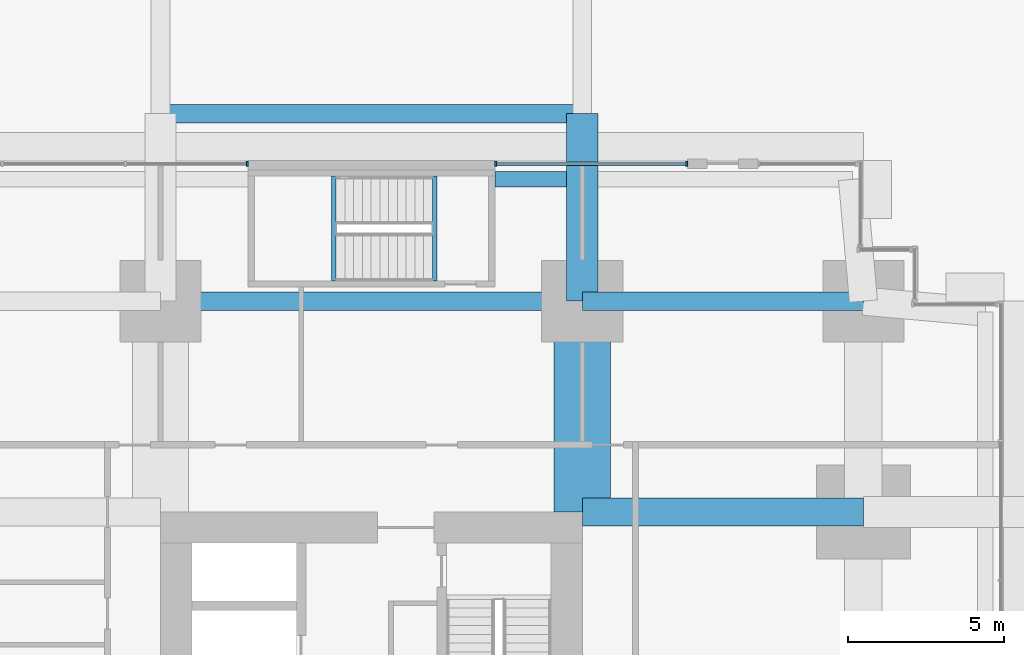
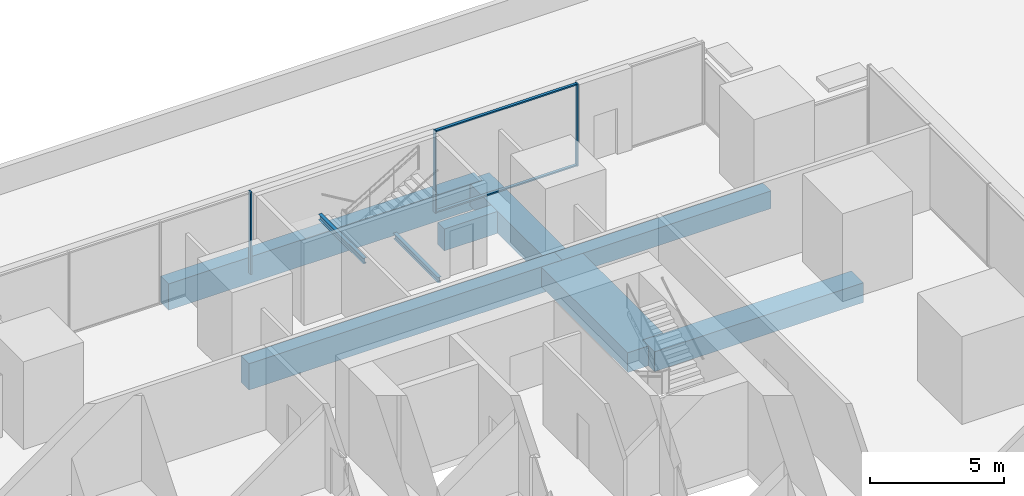
# One storey, part 9 of 34: 9 beams, 5 members, 2 elements without a shape of their own.
"""IFC4 building model written with IfcOpenShell, lengths in metres."""

import ifcopenshell
import ifcopenshell.guid

model = None  # the IFC model being written
_history = None  # IfcOwnerHistory: only IFC2X3 demands one
_inside = {}  # id of a spatial element -> (the spatial element, [elements in it])
_under = {}  # id of a project, library or spatial element -> (it, [spatial elements below it])
_declared = {}  # id of a project -> (the project, [libraries it declares])
_typed = {}  # id of a type object -> (the type object, [elements of that type])
_made_of = {}  # id of a material, layer set ... -> (it, [elements and type objects made of it])


def new_model(schema):
    """Start an empty IFC model of exactly this schema.

    Asked for "IFC4X3", IfcOpenShell would pick the latest addendum, in which some entities
    have other attributes; the version numbers below select the first issue.
    IFC2X3 requires an IfcOwnerHistory on every rooted entity: one is made here for all.
    """
    global model, _history
    if schema == "IFC4X3":
        model = ifcopenshell.file(schema_version=(4, 3, 0, 0))
    else:
        model = ifcopenshell.file(schema=schema)
    _inside.clear()
    _under.clear()
    _declared.clear()
    _typed.clear()
    _made_of.clear()
    _history = None
    if model.schema == "IFC2X3":
        org = make("IfcOrganization", Name="unknown")
        user = make(
            "IfcPersonAndOrganization",
            ThePerson=make("IfcPerson", FamilyName="unknown"),
            TheOrganization=org,
        )
        app = make(
            "IfcApplication",
            ApplicationDeveloper=org,
            Version="unknown",
            ApplicationFullName="unknown",
            ApplicationIdentifier="unknown",
        )
        _history = make(
            "IfcOwnerHistory",
            OwningUser=user,
            OwningApplication=app,
            ChangeAction="ADDED",
            CreationDate=0,
        )
    return model


def make(cls, **values):
    """One entity of the class cls with the attributes given. An attribute that is None is left unset."""
    return model.create_entity(
        cls, **{name: value for name, value in values.items() if value is not None}
    )


def rooted(cls, **values):
    """An entity with a GlobalId (a new one), such as an element, a storey or a relation."""
    return make(cls, GlobalId=ifcopenshell.guid.new(), OwnerHistory=_history, **values)


def si_unit(unit_type, name, prefix=None):
    """IfcSIUnit, for example si_unit("LENGTHUNIT", "METRE", prefix="MILLI")."""
    return make("IfcSIUnit", UnitType=unit_type, Prefix=prefix, Name=name)


def assignment(units):
    """IfcUnitAssignment: the units of a project."""
    return None if units is None else make("IfcUnitAssignment", Units=units)


def point(xyz):
    """IfcCartesianPoint."""
    return None if xyz is None else make("IfcCartesianPoint", Coordinates=xyz)


def direction(xyz):
    """IfcDirection."""
    return None if xyz is None else make("IfcDirection", DirectionRatios=xyz)


def frame(location, z_axis=None, x_axis=None):
    """IfcAxis2Placement3D, a coordinate frame: its origin and axes. An axis left out is left unset."""
    return make(
        "IfcAxis2Placement3D",
        Location=point(location),
        Axis=direction(z_axis),
        RefDirection=direction(x_axis),
    )


def frame_2d(location, x_axis=None):
    """IfcAxis2Placement2D, a coordinate frame in the plane: its origin and x axis."""
    return make(
        "IfcAxis2Placement2D", Location=point(location), RefDirection=direction(x_axis)
    )


def origin():
    """The frame at (0, 0, 0) with its axes left unset."""
    return frame((0.0, 0.0, 0.0))


def origin_2d():
    """The frame at (0, 0) in the plane with its x axis left unset."""
    return frame_2d((0.0, 0.0))


def place(relative_to, where):
    """IfcLocalPlacement: puts the frame where relative to a parent placement (None: the world)."""
    return make(
        "IfcLocalPlacement", PlacementRelTo=relative_to, RelativePlacement=where
    )


def context(
    kind, dimensions, precision=None, world=None, true_north=None, identifier=None
):
    """IfcGeometricRepresentationContext, for example the 3D "Model" context."""
    return make(
        "IfcGeometricRepresentationContext",
        ContextIdentifier=identifier,
        ContextType=kind,
        CoordinateSpaceDimension=dimensions,
        Precision=precision,
        WorldCoordinateSystem=world,
        TrueNorth=true_north,
    )


def subcontext(parent, identifier, kind, view, scale=None):
    """IfcGeometricRepresentationSubContext, for example "Body" below "Model"."""
    return make(
        "IfcGeometricRepresentationSubContext",
        ContextIdentifier=identifier,
        ContextType=kind,
        ParentContext=parent,
        TargetScale=scale,
        TargetView=view,
    )


def project(units=None, contexts=None):
    """IfcProject with its units and contexts."""
    return rooted(
        "IfcProject",
        Name="project",
        RepresentationContexts=contexts,
        UnitsInContext=assignment(units),
    )


def spatial(cls, under=None, at=None, **own):
    """A site, building, storey or space (cls), placed at a placement, below another one or the project."""
    s = rooted(cls, ObjectPlacement=at, **own)
    if under is not None:
        _under.setdefault(under.id(), (under, []))[1].append(s)
    return s


def profile(cls, at=None, kind="AREA", **sizes):
    """A parametric profile (cls). Its sizes go by their IFC names, for example OverallWidth=200.0."""
    return make(cls, ProfileType=kind, Position=at, **sizes)


def rectangle(**sizes):
    """IfcRectangleProfileDef."""
    return profile("IfcRectangleProfileDef", **sizes)


def i_section(**sizes):
    """IfcIShapeProfileDef."""
    return profile("IfcIShapeProfileDef", **sizes)


def extrude(swept, where, along, depth):
    """IfcExtrudedAreaSolid: the profile swept, set in the frame where, extruded along a direction by depth."""
    return make(
        "IfcExtrudedAreaSolid",
        SweptArea=swept,
        Position=where,
        ExtrudedDirection=direction(along),
        Depth=depth,
    )


def shape(context_of_items, identifier, shape_type, items):
    """IfcShapeRepresentation: the items that make up one representation, for example the "Body"."""
    return make(
        "IfcShapeRepresentation",
        ContextOfItems=context_of_items,
        RepresentationIdentifier=identifier,
        RepresentationType=shape_type,
        Items=items,
    )


def material(Name=None, Category=None):
    """IfcMaterial."""
    return make("IfcMaterial", Name=Name, Category=Category)


def layer(
    of_material, thickness, ventilated=None, Name=None, Category=None, Priority=None
):
    """IfcMaterialLayer: one layer of a wall or slab, of a material (None: an air gap)."""
    return make(
        "IfcMaterialLayer",
        Material=of_material,
        LayerThickness=thickness,
        IsVentilated=ventilated,
        Name=Name,
        Category=Category,
        Priority=Priority,
    )


def layer_set(layers, Name=None):
    """IfcMaterialLayerSet."""
    return make("IfcMaterialLayerSet", MaterialLayers=layers, LayerSetName=Name)


def material_profile(
    of_material, cross_section, Name=None, Category=None, Priority=None
):
    """IfcMaterialProfile: a cross section and its material."""
    return make(
        "IfcMaterialProfile",
        Name=Name,
        Material=of_material,
        Profile=cross_section,
        Priority=Priority,
        Category=Category,
    )


def profile_set(profiles, Name=None, composite=None):
    """IfcMaterialProfileSet."""
    return make(
        "IfcMaterialProfileSet",
        Name=Name,
        MaterialProfiles=profiles,
        CompositeProfile=composite,
    )


def made_of(thing, what):
    """Note that an element or type object is made of a material, layer set ...; save() writes the relation."""
    if what is not None:
        _made_of.setdefault(what.id(), (what, []))[1].append(thing)
    return thing


def type_object(cls, material=None, **own):
    """A type object (cls), such as IfcWallType, which elements share."""
    return made_of(rooted(cls, **own), material)


def element(
    cls,
    number,
    at=None,
    inside=None,
    cuts=None,
    type_object=None,
    material=None,
    context=None,
    identifier="Body",
    shape_type=None,
    held_by="IfcProductDefinitionShape",
    body=None,
    shapes=None,
    **own,
):
    """One element of the class cls, such as IfcWall. Its Tag is "e" and its number.

    at: its placement. inside: the storey or other place that contains it. cuts: it is an
    opening in that element (IfcRelVoidsElement). A single representation is given by context,
    identifier, shape_type and body (its items); several are given by shapes. held_by: the class
    of the entity that holds the representations. save() writes the other relations.
    """
    e = rooted(cls, Tag="e%d" % number, ObjectPlacement=at, **own)
    if body is not None:
        shapes = [shape(context, identifier, shape_type, body)]
    if shapes is not None:
        e.Representation = make(held_by, Representations=shapes)
    if inside is not None:
        _inside.setdefault(inside.id(), (inside, []))[1].append(e)
    if cuts is not None:
        rooted(
            "IfcRelVoidsElement", RelatingBuildingElement=cuts, RelatedOpeningElement=e
        )
    if type_object is not None:
        _typed.setdefault(type_object.id(), (type_object, []))[1].append(e)
    return made_of(e, material)


def aggregate(whole, parts):
    """IfcRelAggregates: a whole, such as a stair, and the parts it consists of."""
    return rooted("IfcRelAggregates", RelatingObject=whole, RelatedObjects=parts)


def save(model, path):
    """Write the relations noted so far, then the file.

    IfcRelAggregates (storeys below a building ...), IfcRelContainedInSpatialStructure (elements
    in a storey), IfcRelDefinesByType, IfcRelAssociatesMaterial and IfcRelDeclares: one each for
    every whole, place, type object, material and project.
    """
    for whole, parts in _under.values():
        aggregate(whole, parts)
    for where, things in _inside.values():
        rooted(
            "IfcRelContainedInSpatialStructure",
            RelatedElements=things,
            RelatingStructure=where,
        )
    for kind, things in _typed.values():
        rooted("IfcRelDefinesByType", RelatedObjects=things, RelatingType=kind)
    for what, things in _made_of.values():
        rooted("IfcRelAssociatesMaterial", RelatedObjects=things, RelatingMaterial=what)
    for by, libraries in _declared.values():
        rooted("IfcRelDeclares", RelatingContext=by, RelatedDefinitions=libraries)
    model.write(path)


model = new_model("IFC4")

# Units and contexts
model_context = context("Model", 3, precision=1e-05, world=origin(), true_north=direction((0.0, 1.0)))
body_context = subcontext(model_context, "Body", "Model", "MODEL_VIEW")
ifc_project = project(units=[si_unit("LENGTHUNIT", "METRE"), si_unit("AREAUNIT", "SQUARE_METRE"), si_unit("VOLUMEUNIT", "CUBIC_METRE"), si_unit("PLANEANGLEUNIT", "RADIAN"), si_unit("MASSUNIT", "GRAM", prefix="KILO")], contexts=[model_context])

# Site, building, storey
site_placement = place(None, origin())
site = spatial("IfcSite", under=ifc_project, at=site_placement, CompositionType="ELEMENT")
building_placement = place(site_placement, origin())
building = spatial("IfcBuilding", under=site, at=building_placement, Name="Namib Vertical Campus", CompositionType="ELEMENT")
storey_placement = place(building_placement, frame((0.0, 0.0, 21.0)))
storey = spatial("IfcBuildingStorey", under=building, at=storey_placement, Name="L04", CompositionType="ELEMENT", Elevation=21.0)

# Curtain wall, members
ifc_material_1 = material(Name="Black aluminium curtain wall", Category="aluminium")
ifc_layer = layer(ifc_material_1, 0.199951171875)
ifc_layer_set = layer_set([ifc_layer], Name="Lounge curtain wall CW-L4")
curtain_wall_type = type_object("IfcCurtainWallType", Name="Lounge curtain wall CW-L4", PredefinedType="USERDEFINED", material=ifc_layer_set)
curtain_wall_1_placement = place(storey_placement, origin())
curtain_wall_1 = element("IfcCurtainWall", 1, at=curtain_wall_1_placement, inside=storey, type_object=curtain_wall_type, Name="Curtain wall CW-L4 L04 F11-2", ObjectType="CURTAIN WALL", PredefinedType="USERDEFINED")
ifc_material_2 = material(Name="Black anodised aluminium", Category="aluminium")
ifc_material_profile_1 = material_profile(ifc_material_2, rectangle(XDim=0.06005859375, YDim=0.159912109375, at=origin_2d()))
ifc_profile_set_1 = profile_set([ifc_material_profile_1], Name="Black anodised aluminium")
member_type_1 = type_object("IfcMemberType", Name="Curtain wall mullion 60x160", PredefinedType="MULLION", material=ifc_profile_set_1)
member_1_placement = place(storey_placement, frame((30.344970703125, 40.39990234375, 0.0), z_axis=(0.0, 0.0, 1.0), x_axis=(-1.0, 0.0, 0.0)))
member_1 = element("IfcMember", 2, at=member_1_placement, type_object=member_type_1, Name="CW-L4 mullion 1", PredefinedType="MULLION", context=body_context, shape_type="SweptSolid", body=[
    extrude(rectangle(XDim=0.06005859375, YDim=0.159912109375, at=origin_2d()), origin(), (0.0, 0.0, 1.0), 3.75),
])
member_2_placement = place(storey_placement, frame((24.22998046875, 40.39990234375, 0.0), z_axis=(0.0, 0.0, 1.0), x_axis=(-1.0, 0.0, 0.0)))
member_2 = element("IfcMember", 3, at=member_2_placement, type_object=member_type_1, Name="CW-L4 mullion 2", PredefinedType="MULLION", context=body_context, shape_type="SweptSolid", body=[
    extrude(rectangle(XDim=0.06005859375, YDim=0.159912109375, at=origin_2d()), origin(), (0.0, 0.0, 1.0), 3.75),
])

# Curtain wall, member
curtain_wall_2_placement = place(storey_placement, origin())
curtain_wall_2 = element("IfcCurtainWall", 4, at=curtain_wall_2_placement, inside=storey, type_object=curtain_wall_type, Name="Curtain wall CW-L4 L04 F11-3", ObjectType="CURTAIN WALL", PredefinedType="USERDEFINED")
member_3_placement = place(storey_placement, frame((16.27001953125, 40.39990234375, 0.0), z_axis=(0.0, 0.0, 1.0), x_axis=(-1.0, 0.0, 0.0)))
member_3 = element("IfcMember", 5, at=member_3_placement, type_object=member_type_1, Name="CW-L4 mullion 1", PredefinedType="MULLION", context=body_context, shape_type="SweptSolid", body=[
    extrude(rectangle(XDim=0.06005859375, YDim=0.159912109375, at=origin_2d()), origin(), (0.0, 0.0, 1.0), 3.75),
])
aggregate(curtain_wall_2, [member_3])

# Member
ifc_material_3 = material(Name="Black anodised aluminium", Category="aluminium")
ifc_material_profile_2 = material_profile(ifc_material_3, rectangle(XDim=0.06005859375, YDim=0.1201171875, at=origin_2d()))
ifc_profile_set_2 = profile_set([ifc_material_profile_2], Name="Black anodised aluminium")
member_type_2 = type_object("IfcMemberType", Name="Curtain wall transom 60x120", PredefinedType="USERDEFINED", material=ifc_profile_set_2)
member_4_placement = place(storey_placement, frame((30.31494140625, 40.39990234375, 0.030029296875), z_axis=(-1.0, 0.0, 0.0), x_axis=(0.0, 0.0, 1.0)))
member_4 = element("IfcMember", 6, at=member_4_placement, type_object=member_type_2, Name="CW-L4 transom 1.1", ObjectType="TRANSOM", PredefinedType="USERDEFINED", context=body_context, shape_type="SweptSolid", body=[
    extrude(rectangle(XDim=0.06005859375, YDim=0.1201171875, at=origin_2d()), origin(), (0.0, 0.0, 1.0), 6.054931640625),
])

member_5_placement = place(storey_placement, frame((30.31494140625, 40.39990234375, 3.719970703125), z_axis=(-1.0, 0.0, 0.0), x_axis=(0.0, 0.0, 1.0)))
member_5 = element("IfcMember", 7, at=member_5_placement, type_object=member_type_2, Name="CW-L4 transom 1.2", ObjectType="TRANSOM", PredefinedType="USERDEFINED", context=body_context, shape_type="SweptSolid", body=[
    extrude(rectangle(XDim=0.06005859375, YDim=0.1201171875, at=origin_2d()), origin(), (0.0, 0.0, 1.0), 6.054931640625),
])

aggregate(curtain_wall_1, [member_1, member_2, member_4, member_5])

# Beams
ifc_material_4 = material(Name="Concrete C40/50", Category="concrete")
ifc_material_profile_3 = material_profile(ifc_material_4, rectangle(XDim=0.89990234375, YDim=0.89990234375, at=origin_2d()))
ifc_profile_set_3 = profile_set([ifc_material_profile_3], Name="Concrete C40/50")
beam_type_1 = type_object("IfcBeamType", Name="Face girder RC 900x900", PredefinedType="BEAM", material=ifc_profile_set_3)
beam_1_placement = place(storey_placement, frame((36.0, 29.25, -0.75), z_axis=(-1.0, 0.0, 0.0), x_axis=(0.0, -1.0, 0.0)))
element("IfcBeam", 8, at=beam_1_placement, inside=storey, type_object=beam_type_1, Name="Beam B10 L04", PredefinedType="BEAM", context=body_context, shape_type="SweptSolid", body=[
    extrude(rectangle(XDim=0.89990234375, YDim=0.89990234375, at=origin_2d()), origin(), (0.0, 0.0, 1.0), 9.0),
])
ifc_material_5 = material(Name="Steel S355JR", Category="steel")
ifc_material_profile_4 = material_profile(ifc_material_5, i_section(OverallWidth=0.14599609375, OverallDepth=0.25146484375, WebThickness=0.006103515625, FlangeThickness=0.008544921875, FilletRadius=0.007568359375, at=origin_2d()))
ifc_profile_set_4 = profile_set([ifc_material_profile_4], Name="Steel S355JR")
beam_type_2 = type_object("IfcBeamType", Name="Landing trimmer UB 254x146x31", PredefinedType="BEAM", material=ifc_profile_set_4)
for number, where, z_axis, x_axis, name in (
    (9, (22.27294921875, 36.64990234375, -0.125732421875), (0.0, 1.0, 0.0), (-1.0, 0.0, 0.0), "Landing trimmer LT1 A-S3 L04 1"),
    (10, (19.046875, 36.64990234375, 1.874267578125), (0.0, 1.0, 0.0), (-1.0, 0.0, 0.0), "Landing trimmer LT1 A-S3 L04 2"),
):
    element("IfcBeam", number, at=place(storey_placement, frame(where, z_axis=z_axis, x_axis=x_axis)), inside=storey, type_object=beam_type_2, Name=name, PredefinedType="BEAM", context=body_context, shape_type="SweptSolid", body=[
        extrude(i_section(OverallWidth=0.14599609375, OverallDepth=0.25146484375, WebThickness=0.006103515625, FlangeThickness=0.008544921875, FilletRadius=0.007568359375, at=origin_2d()), origin(), (0.0, 0.0, 1.0), 3.35009765625),
    ])
ifc_material_6 = material(Name="Concrete C40/50", Category="concrete")
ifc_material_profile_5 = material_profile(ifc_material_6, rectangle(XDim=0.60009765625, YDim=1.199951171875, at=origin_2d()))
ifc_profile_set_5 = profile_set([ifc_material_profile_5], Name="Concrete C40/50")
beam_type_3 = type_object("IfcBeamType", Name="Long-span podium beam RC 600x1200", PredefinedType="BEAM", material=ifc_profile_set_5)
beam_2_placement = place(storey_placement, frame((13.5, 42.0, -0.89990234375), z_axis=(1.0, 0.0, 0.0), x_axis=(0.0, 1.0, 0.0)))
element("IfcBeam", 11, at=beam_2_placement, inside=storey, type_object=beam_type_3, Name="Beam PB4 L04", PredefinedType="BEAM", context=body_context, shape_type="SweptSolid", body=[
    extrude(rectangle(XDim=0.60009765625, YDim=1.199951171875, at=origin_2d()), origin(), (0.0, 0.0, 1.0), 13.5),
])
ifc_material_7 = material(Name="Concrete C40/50", Category="concrete")
ifc_material_profile_6 = material_profile(ifc_material_7, rectangle(XDim=0.60009765625, YDim=1.199951171875, at=origin_2d()))
ifc_profile_set_6 = profile_set([ifc_material_profile_6], Name="Concrete C40/50")
beam_type_4 = type_object("IfcBeamType", Name="Long-span ring beam RC 600x1200", PredefinedType="BEAM", material=ifc_profile_set_6)
beam_3_placement = place(storey_placement, frame((13.5, 36.0, -0.89990234375), z_axis=(1.0, 0.0, 0.0), x_axis=(0.0, 1.0, 0.0)))
element("IfcBeam", 12, at=beam_3_placement, inside=storey, type_object=beam_type_4, Name="Beam B9 L04", PredefinedType="BEAM", context=body_context, shape_type="SweptSolid", body=[
    extrude(rectangle(XDim=0.60009765625, YDim=1.199951171875, at=origin_2d()), origin(), (0.0, 0.0, 1.0), 13.5),
])
ifc_material_8 = material(Name="Concrete C40/50", Category="concrete")
ifc_material_profile_7 = material_profile(ifc_material_8, rectangle(XDim=1.800048828125, YDim=0.89990234375, at=origin_2d()))
ifc_profile_set_7 = profile_set([ifc_material_profile_7], Name="Concrete C40/50")
beam_type_5 = type_object("IfcBeamType", Name="Outrigger line girder RC 1800x900", PredefinedType="BEAM", material=ifc_profile_set_7)
beam_4_placement = place(storey_placement, frame((27.0, 36.0, -0.75), z_axis=(0.0, -1.0, 0.0), x_axis=(1.0, 0.0, 0.0)))
element("IfcBeam", 13, at=beam_4_placement, inside=storey, type_object=beam_type_5, Name="Beam B12 L04", PredefinedType="BEAM", context=body_context, shape_type="SweptSolid", body=[
    extrude(rectangle(XDim=1.800048828125, YDim=0.89990234375, at=origin_2d()), origin(), (0.0, 0.0, 1.0), 6.75),
])
ifc_material_9 = material(Name="Concrete C40/50", Category="concrete")
ifc_material_profile_8 = material_profile(ifc_material_9, rectangle(XDim=0.5, YDim=1.0, at=origin_2d()))
ifc_profile_set_8 = profile_set([ifc_material_profile_8], Name="Concrete C40/50")
beam_type_6 = type_object("IfcBeamType", Name="Podium roof edge beam RC 500x1000", PredefinedType="SPANDREL", material=ifc_profile_set_8)
beam_5_placement = place(storey_placement, frame((24.199951171875, 39.89990234375, -0.800048828125), z_axis=(1.0, 0.0, 0.0), x_axis=(0.0, 1.0, 0.0)))
element("IfcBeam", 14, at=beam_5_placement, inside=storey, type_object=beam_type_6, Name="Beam B8 L04", PredefinedType="SPANDREL", context=body_context, shape_type="SweptSolid", body=[
    extrude(rectangle(XDim=0.5, YDim=1.0, at=origin_2d()), origin(), (0.0, 0.0, 1.0), 2.300048828125),
])
ifc_material_10 = material(Name="Concrete C40/50", Category="concrete")
ifc_material_profile_9 = material_profile(ifc_material_10, rectangle(XDim=1.0, YDim=1.0, at=origin_2d()))
ifc_profile_set_9 = profile_set([ifc_material_profile_9], Name="Concrete C40/50")
beam_type_7 = type_object("IfcBeamType", Name="Podium tie beam RC 1000x1000", PredefinedType="BEAM", material=ifc_profile_set_9)
beam_6_placement = place(storey_placement, frame((27.0, 36.0, -0.800048828125), z_axis=(0.0, 1.0, 0.0), x_axis=(-1.0, 0.0, 0.0)))
element("IfcBeam", 15, at=beam_6_placement, inside=storey, type_object=beam_type_7, Name="Beam PB3 L04", PredefinedType="BEAM", context=body_context, shape_type="SweptSolid", body=[
    extrude(rectangle(XDim=1.0, YDim=1.0, at=origin_2d()), origin(), (0.0, 0.0, 1.0), 6.0),
])
ifc_material_11 = material(Name="Concrete C40/50", Category="concrete")
ifc_material_profile_10 = material_profile(ifc_material_11, rectangle(XDim=0.60009765625, YDim=0.800048828125, at=origin_2d()))
ifc_profile_set_10 = profile_set([ifc_material_profile_10], Name="Concrete C40/50")
beam_type_8 = type_object("IfcBeamType", Name="Ring beam RC 600x800", PredefinedType="BEAM", material=ifc_profile_set_10)
beam_7_placement = place(storey_placement, frame((27.0, 36.0, -0.699951171875), z_axis=(1.0, 0.0, 0.0), x_axis=(0.0, 1.0, 0.0)))
element("IfcBeam", 16, at=beam_7_placement, inside=storey, type_object=beam_type_8, Name="Beam B1 L04", PredefinedType="BEAM", context=body_context, shape_type="SweptSolid", body=[
    extrude(rectangle(XDim=0.60009765625, YDim=0.800048828125, at=origin_2d()), origin(), (0.0, 0.0, 1.0), 9.0),
])

save(model, "model.ifc")
